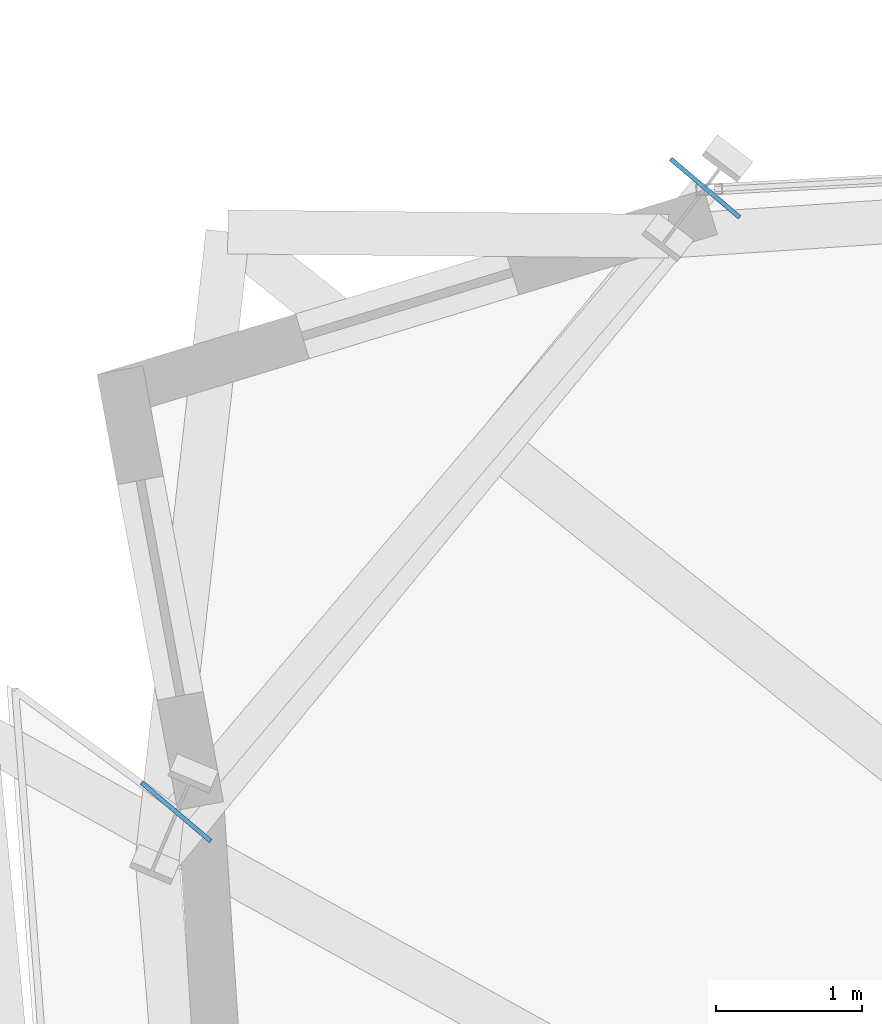
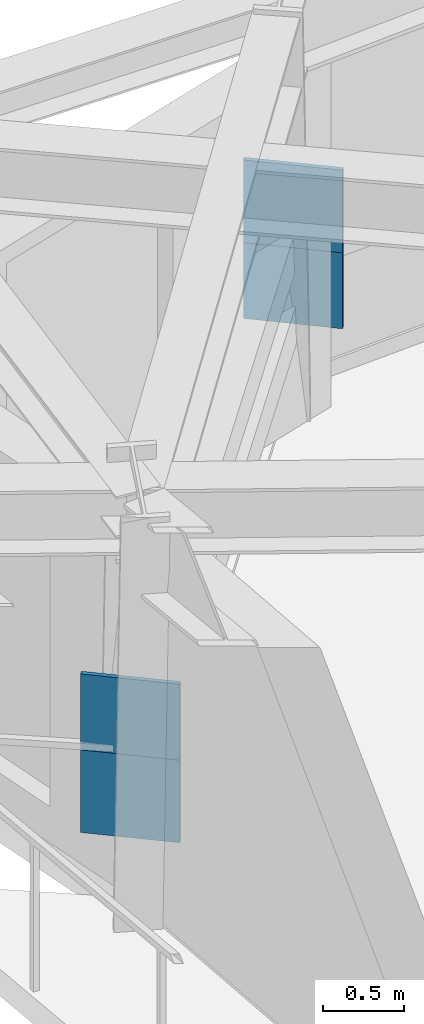
# One storey, part 12 of 21: 4 plates.
"""IFC4 building model written with IfcOpenShell, lengths in metres."""

from ifc_helpers import new_model, si_unit, direction, frame, origin, origin_2d, place, context, subcontext, project, spatial, rectangle, extrude, source, transform, mapped, material, type_object, element, save


model = new_model("IFC4")

# Units and contexts
model_context = context("Model", 3, precision=1e-05, world=origin(), true_north=direction((0.0, 1.0)))
body_context = subcontext(model_context, "Body", "Model", "MODEL_VIEW")
ifc_project = project(units=[si_unit("LENGTHUNIT", "METRE"), si_unit("AREAUNIT", "SQUARE_METRE"), si_unit("VOLUMEUNIT", "CUBIC_METRE"), si_unit("PLANEANGLEUNIT", "RADIAN"), si_unit("MASSUNIT", "GRAM", prefix="KILO")], contexts=[model_context])

# Site, building, storey
site_placement = place(None, origin())
site = spatial("IfcSite", under=ifc_project, at=site_placement, CompositionType="ELEMENT")
building_placement = place(site_placement, origin())
building = spatial("IfcBuilding", under=site, at=building_placement, Name="Olszyna Solenne Hotel", CompositionType="ELEMENT")
storey_placement = place(building_placement, frame((0.0, 0.0, 105.699951171875)))
storey = spatial("IfcBuildingStorey", under=building, at=storey_placement, Name="L27", CompositionType="ELEMENT", Elevation=105.699951171875)

# Plates
ifc_material = material(Name="Steel S460M", Category="steel")
plate_type = type_object("IfcPlateType", Name="GP-CAP2", PredefinedType="USERDEFINED", material=ifc_material)
shared_shape = source(origin(), body_context, "Body", "SweptSolid", [
    extrude(rectangle(XDim=0.030029296875, YDim=0.6201171875, at=origin_2d()), origin(), (0.0, 0.0, 1.0), 0.6201171875),
])
for number, where, z_axis, x_axis, name in (
    (1, (20.230712890625, 42.780517578125, 1.0400390625), (0.0, 0.0, 1.0), (-0.64678977951, -0.762668329696, 0.0), "Hollow section end-cap plate GP-CAP2 CP-PR-M-L27-PR1-1"),
    (2, (16.609130859375, 38.510009765625, 1.0400390625), (0.0, 0.0, 1.0), (-0.64678977951, -0.762668329696, 0.0), "Hollow section end-cap plate GP-CAP2 CP-PR-M-L27-PR1-2"),
    (3, (20.230712890625, 42.780517578125, 0.469970703125), (0.0, 0.0, 1.0), (-0.64678977951, -0.762668329696, 0.0), "Hollow section end-cap plate GP-CAP2 CP-PR-M-L27-PR2-1"),
    (4, (16.609130859375, 38.510009765625, 0.469970703125), (0.0, 0.0, 1.0), (-0.64678977951, -0.762668329696, 0.0), "Hollow section end-cap plate GP-CAP2 CP-PR-M-L27-PR2-2"),
):
    element("IfcPlate", number, at=place(storey_placement, frame(where, z_axis=z_axis, x_axis=x_axis)), inside=storey, type_object=plate_type, Name=name, ObjectType="GUSSET_PLATE", PredefinedType="USERDEFINED", context=body_context, shape_type="MappedRepresentation", body=[
        mapped(shared_shape, transform((0.0, 0.0, 0.0), x_axis=(1.0, 0.0, 0.0), y_axis=(0.0, 1.0, 0.0), z_axis=(0.0, 0.0, 1.0), scale=1.0)),
    ])

save(model, "model.ifc")
